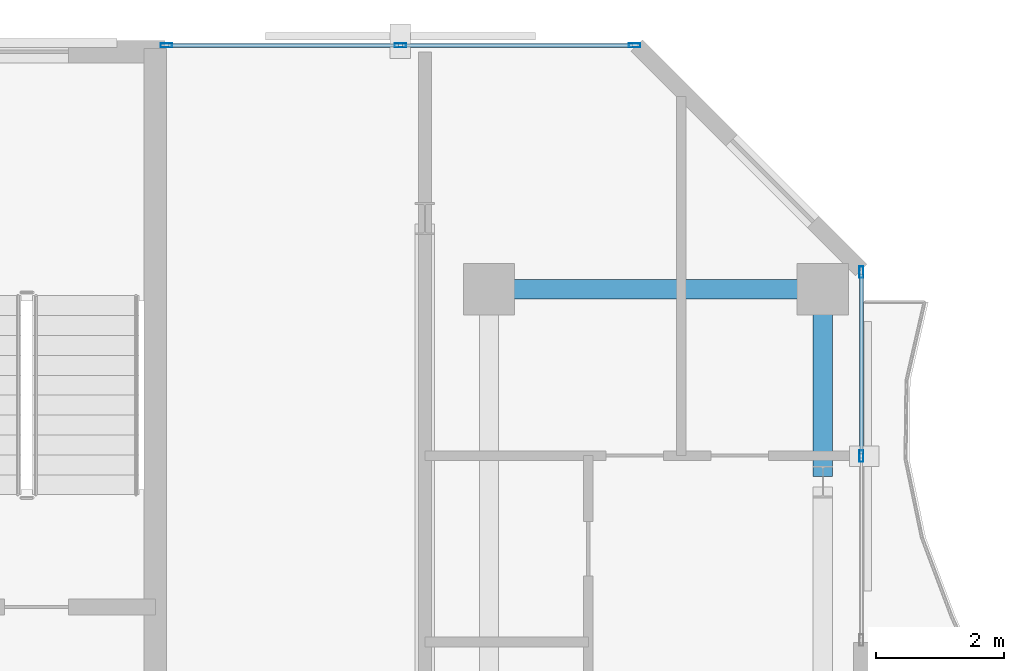
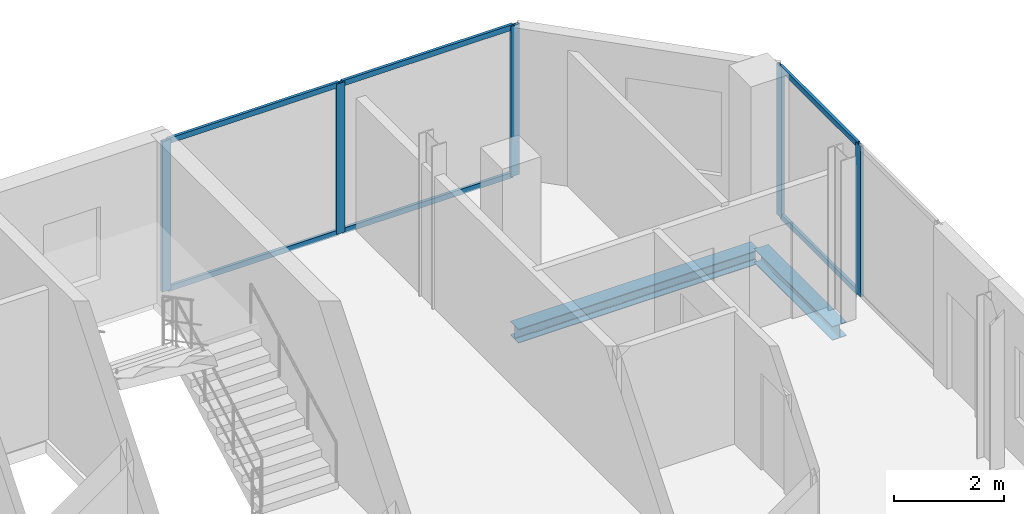
# One storey, part 16 of 24: 11 members, 2 beams, 2 elements without a shape of their own.
"""IFC4 building model written with IfcOpenShell, lengths in metres."""

from ifc_helpers import new_model, si_unit, direction, frame, origin, origin_2d, place, context, subcontext, project, spatial, hollow_rectangle, i_section, extrude, material, layer, layer_set, material_profile, profile_set, type_object, element, aggregate, save


model = new_model("IFC4")

# Units and contexts
model_context = context("Model", 3, precision=1e-05, world=origin(), true_north=direction((0.0, 1.0)))
body_context = subcontext(model_context, "Body", "Model", "MODEL_VIEW")
ifc_project = project(units=[si_unit("LENGTHUNIT", "METRE"), si_unit("AREAUNIT", "SQUARE_METRE"), si_unit("VOLUMEUNIT", "CUBIC_METRE"), si_unit("PLANEANGLEUNIT", "RADIAN"), si_unit("MASSUNIT", "GRAM", prefix="KILO")], contexts=[model_context])

# Site, building, storey
site_placement = place(None, origin())
site = spatial("IfcSite", under=ifc_project, at=site_placement, CompositionType="ELEMENT")
building_placement = place(site_placement, origin())
building = spatial("IfcBuilding", under=site, at=building_placement, Name="Catumbela Crestline Tower", CompositionType="ELEMENT")
storey_placement = place(building_placement, frame((0.0, 0.0, 154.2)))
storey = spatial("IfcBuildingStorey", under=building, at=storey_placement, Name="L39", CompositionType="ELEMENT", Elevation=154.2)

# Curtain wall, members
ifc_material_1 = material(Name="Aluminium alloy AW-6060-T66", Category="aluminium")
ifc_layer = layer(ifc_material_1, 0.18, Name="Aluminium alloy AW-6060-T66")
ifc_layer_set = layer_set([ifc_layer], Name="Aluminium alloy AW-6060-T66")
curtain_wall_type = type_object("IfcCurtainWallType", Name="CWU-Z3", PredefinedType="USERDEFINED", material=ifc_layer_set)
curtain_wall_1_placement = place(storey_placement, origin())
curtain_wall_1 = element("IfcCurtainWall", 1, at=curtain_wall_1_placement, inside=storey, type_object=curtain_wall_type, Name="L39 Unitised Curtain Wall CW-L39-E5S2", ObjectType="UNITISED", PredefinedType="USERDEFINED")
ifc_material_profile_1 = material_profile(ifc_material_1, hollow_rectangle(XDim=0.065, YDim=0.18, WallThickness=0.004, at=origin_2d()), Name="ALU 180x65x4")
ifc_profile_set_1 = profile_set([ifc_material_profile_1], Name="Aluminium alloy AW-6060-T66")
member_type_1 = type_object("IfcMemberType", Name="MUL-180X65", PredefinedType="MULLION", material=ifc_profile_set_1)
member_1_placement = place(storey_placement, frame((51.0, 36.6, 0.0), z_axis=(0.0, 0.0, 1.0), x_axis=(-1.0, 0.0, 0.0)))
member_1 = element("IfcMember", 2, at=member_1_placement, type_object=member_type_1, Name="CWU-Z3 mullion 2", PredefinedType="MULLION", context=body_context, shape_type="SweptSolid", body=[
    extrude(hollow_rectangle(XDim=0.065, YDim=0.18, WallThickness=0.004, at=origin_2d()), origin(), (0.0, 0.0, 1.0), 3.33),
])
member_2_placement = place(storey_placement, frame((51.0, 39.4675, 0.0), z_axis=(0.0, 0.0, 1.0), x_axis=(-1.0, 0.0, 0.0)))
member_2 = element("IfcMember", 3, at=member_2_placement, type_object=member_type_1, Name="CWU-Z3 mullion 3", PredefinedType="MULLION", context=body_context, shape_type="SweptSolid", body=[
    extrude(hollow_rectangle(XDim=0.065, YDim=0.18, WallThickness=0.004, at=origin_2d()), origin(), (0.0, 0.0, 1.0), 3.33),
])

curtain_wall_2_placement = place(storey_placement, origin())
curtain_wall_2 = element("IfcCurtainWall", 4, at=curtain_wall_2_placement, inside=storey, type_object=curtain_wall_type, Name="L39 Unitised Curtain Wall CW-L39-E7S1", ObjectType="UNITISED", PredefinedType="USERDEFINED")
member_3_placement = place(storey_placement, frame((47.4675, 43.0, 0.0), z_axis=(0.0, 0.0, 1.0), x_axis=(0.0, -1.0, 0.0)))
member_3 = element("IfcMember", 5, at=member_3_placement, type_object=member_type_1, Name="CWU-Z3 mullion 1", PredefinedType="MULLION", context=body_context, shape_type="SweptSolid", body=[
    extrude(hollow_rectangle(XDim=0.065, YDim=0.18, WallThickness=0.004, at=origin_2d()), origin(), (0.0, 0.0, 1.0), 3.33),
])
member_4_placement = place(storey_placement, frame((43.82, 43.0, 0.0), z_axis=(0.0, 0.0, 1.0), x_axis=(0.0, -1.0, 0.0)))
member_4 = element("IfcMember", 6, at=member_4_placement, type_object=member_type_1, Name="CWU-Z3 mullion 2", PredefinedType="MULLION", context=body_context, shape_type="SweptSolid", body=[
    extrude(hollow_rectangle(XDim=0.065, YDim=0.18, WallThickness=0.004, at=origin_2d()), origin(), (0.0, 0.0, 1.0), 3.33),
])
member_5_placement = place(storey_placement, frame((40.1725, 43.0, 0.0), z_axis=(0.0, 0.0, 1.0), x_axis=(0.0, -1.0, 0.0)))
member_5 = element("IfcMember", 7, at=member_5_placement, type_object=member_type_1, Name="CWU-Z3 mullion 3", PredefinedType="MULLION", context=body_context, shape_type="SweptSolid", body=[
    extrude(hollow_rectangle(XDim=0.065, YDim=0.18, WallThickness=0.004, at=origin_2d()), origin(), (0.0, 0.0, 1.0), 3.33),
])

# Beams
ifc_material_2 = material(Name="Structural steel S355J2", Category="steel")
ifc_material_profile_2 = material_profile(ifc_material_2, i_section(OverallWidth=0.3, OverallDepth=0.31, WebThickness=0.009, FlangeThickness=0.0155, FilletRadius=0.027, at=origin_2d()), Name="HEA 320")
ifc_profile_set_2 = profile_set([ifc_material_profile_2], Name="Structural steel S355J2")
beam_type = type_object("IfcBeamType", Name="BS-HEA320", PredefinedType="SPANDREL", material=ifc_profile_set_2)
beam_1_placement = place(storey_placement, frame((45.28, 39.2, -0.415), z_axis=(1.0, 0.0, 0.0), x_axis=(0.0, 1.0, 0.0)))
element("IfcBeam", 8, at=beam_1_placement, inside=storey, type_object=beam_type, Name="L39 Spandrel SP-L39-N13", PredefinedType="SPANDREL", context=body_context, shape_type="SweptSolid", body=[
    extrude(i_section(OverallWidth=0.3, OverallDepth=0.31, WebThickness=0.009, FlangeThickness=0.0155, FilletRadius=0.027, at=origin_2d()), origin(), (0.0, 0.0, 1.0), 5.04),
])
beam_2_placement = place(storey_placement, frame((50.4, 36.28, -0.415), z_axis=(0.0, 1.0, 0.0), x_axis=(-1.0, 0.0, 0.0)))
element("IfcBeam", 9, at=beam_2_placement, inside=storey, type_object=beam_type, Name="L39 Spandrel SP-L39-SN25", PredefinedType="SPANDREL", context=body_context, shape_type="SweptSolid", body=[
    extrude(i_section(OverallWidth=0.3, OverallDepth=0.31, WebThickness=0.009, FlangeThickness=0.0155, FilletRadius=0.027, at=origin_2d()), origin(), (0.0, 0.0, 1.0), 2.84),
])

# Member
ifc_material_profile_3 = material_profile(ifc_material_1, hollow_rectangle(XDim=0.06, YDim=0.12, WallThickness=0.0035, at=origin_2d()), Name="ALU 120x60x3.5")
ifc_profile_set_3 = profile_set([ifc_material_profile_3], Name="Aluminium alloy AW-6060-T66")
member_type_2 = type_object("IfcMemberType", Name="TRN-120X60", PredefinedType="USERDEFINED", material=ifc_profile_set_3)
member_6_placement = place(storey_placement, frame((51.0, 36.6325, 0.03), z_axis=(0.0, 1.0, 0.0), x_axis=(-1.0, 0.0, 0.0)))
member_6 = element("IfcMember", 10, at=member_6_placement, type_object=member_type_2, Name="CWU-Z3 transom 2.1", ObjectType="TRANSOM", PredefinedType="USERDEFINED", context=body_context, shape_type="SweptSolid", body=[
    extrude(hollow_rectangle(XDim=0.06, YDim=0.12, WallThickness=0.0035, at=origin_2d()), origin(), (0.0, 0.0, 1.0), 2.8025),
])

member_7_placement = place(storey_placement, frame((51.0, 36.6325, 3.3), z_axis=(0.0, 1.0, 0.0), x_axis=(-1.0, 0.0, 0.0)))
member_7 = element("IfcMember", 11, at=member_7_placement, type_object=member_type_2, Name="CWU-Z3 transom 2.2", ObjectType="TRANSOM", PredefinedType="USERDEFINED", context=body_context, shape_type="SweptSolid", body=[
    extrude(hollow_rectangle(XDim=0.06, YDim=0.12, WallThickness=0.0035, at=origin_2d()), origin(), (0.0, 0.0, 1.0), 2.8025),
])

aggregate(curtain_wall_1, [member_1, member_2, member_6, member_7])

member_8_placement = place(storey_placement, frame((47.435, 43.0, 0.03), z_axis=(-1.0, 0.0, 0.0), x_axis=(0.0, -1.0, 0.0)))
member_8 = element("IfcMember", 12, at=member_8_placement, type_object=member_type_2, Name="CWU-Z3 transom 1.1", ObjectType="TRANSOM", PredefinedType="USERDEFINED", context=body_context, shape_type="SweptSolid", body=[
    extrude(hollow_rectangle(XDim=0.06, YDim=0.12, WallThickness=0.0035, at=origin_2d()), origin(), (0.0, 0.0, 1.0), 3.5825),
])

member_9_placement = place(storey_placement, frame((47.435, 43.0, 3.3), z_axis=(-1.0, 0.0, 0.0), x_axis=(0.0, -1.0, 0.0)))
member_9 = element("IfcMember", 13, at=member_9_placement, type_object=member_type_2, Name="CWU-Z3 transom 1.2", ObjectType="TRANSOM", PredefinedType="USERDEFINED", context=body_context, shape_type="SweptSolid", body=[
    extrude(hollow_rectangle(XDim=0.06, YDim=0.12, WallThickness=0.0035, at=origin_2d()), origin(), (0.0, 0.0, 1.0), 3.5825),
])

member_10_placement = place(storey_placement, frame((43.7875, 43.0, 0.03), z_axis=(-1.0, 0.0, 0.0), x_axis=(0.0, -1.0, 0.0)))
member_10 = element("IfcMember", 14, at=member_10_placement, type_object=member_type_2, Name="CWU-Z3 transom 2.1", ObjectType="TRANSOM", PredefinedType="USERDEFINED", context=body_context, shape_type="SweptSolid", body=[
    extrude(hollow_rectangle(XDim=0.06, YDim=0.12, WallThickness=0.0035, at=origin_2d()), origin(), (0.0, 0.0, 1.0), 3.5825),
])

member_11_placement = place(storey_placement, frame((43.7875, 43.0, 3.3), z_axis=(-1.0, 0.0, 0.0), x_axis=(0.0, -1.0, 0.0)))
member_11 = element("IfcMember", 15, at=member_11_placement, type_object=member_type_2, Name="CWU-Z3 transom 2.2", ObjectType="TRANSOM", PredefinedType="USERDEFINED", context=body_context, shape_type="SweptSolid", body=[
    extrude(hollow_rectangle(XDim=0.06, YDim=0.12, WallThickness=0.0035, at=origin_2d()), origin(), (0.0, 0.0, 1.0), 3.5825),
])

aggregate(curtain_wall_2, [member_3, member_4, member_5, member_8, member_9, member_10, member_11])

save(model, "model.ifc")
